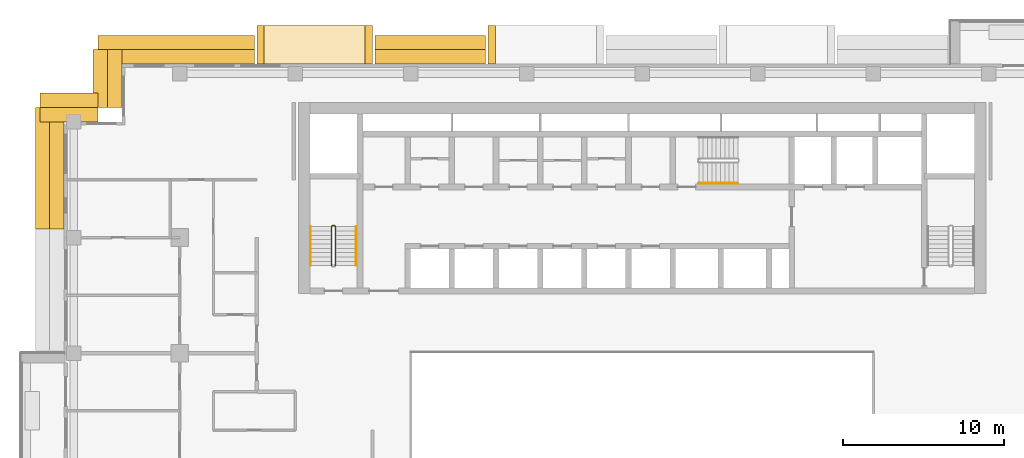
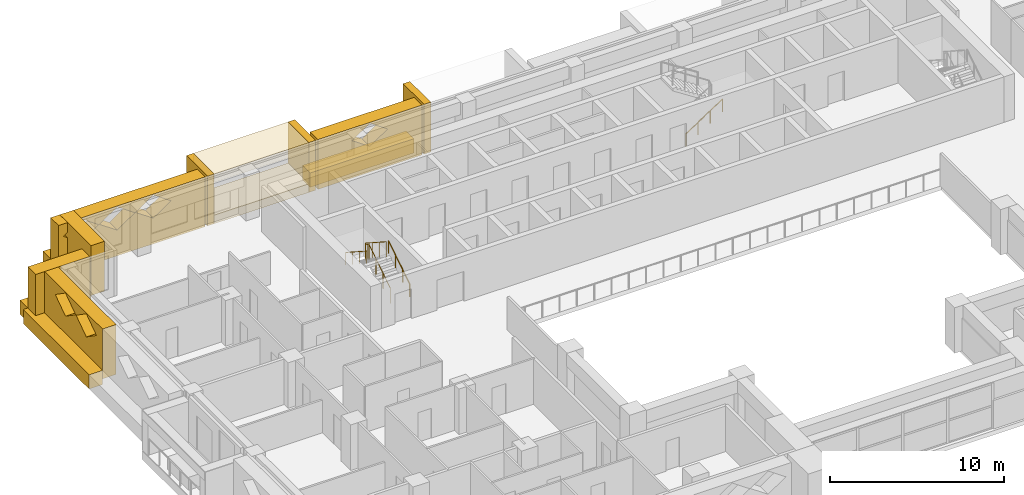
# One storey, part 17 of 19: 15 coverings, 4 railings.
"""IFC4 building model written with IfcOpenShell, lengths in metres."""

import ifcopenshell
import ifcopenshell.guid

model = None  # the IFC model being written
_history = None  # IfcOwnerHistory: only IFC2X3 demands one
_inside = {}  # id of a spatial element -> (the spatial element, [elements in it])
_under = {}  # id of a project, library or spatial element -> (it, [spatial elements below it])
_declared = {}  # id of a project -> (the project, [libraries it declares])
_typed = {}  # id of a type object -> (the type object, [elements of that type])
_made_of = {}  # id of a material, layer set ... -> (it, [elements and type objects made of it])


def new_model(schema):
    """Start an empty IFC model of exactly this schema.

    Asked for "IFC4X3", IfcOpenShell would pick the latest addendum, in which some entities
    have other attributes; the version numbers below select the first issue.
    IFC2X3 requires an IfcOwnerHistory on every rooted entity: one is made here for all.
    """
    global model, _history
    if schema == "IFC4X3":
        model = ifcopenshell.file(schema_version=(4, 3, 0, 0))
    else:
        model = ifcopenshell.file(schema=schema)
    _inside.clear()
    _under.clear()
    _declared.clear()
    _typed.clear()
    _made_of.clear()
    _history = None
    if model.schema == "IFC2X3":
        org = make("IfcOrganization", Name="unknown")
        user = make(
            "IfcPersonAndOrganization",
            ThePerson=make("IfcPerson", FamilyName="unknown"),
            TheOrganization=org,
        )
        app = make(
            "IfcApplication",
            ApplicationDeveloper=org,
            Version="unknown",
            ApplicationFullName="unknown",
            ApplicationIdentifier="unknown",
        )
        _history = make(
            "IfcOwnerHistory",
            OwningUser=user,
            OwningApplication=app,
            ChangeAction="ADDED",
            CreationDate=0,
        )
    return model


def make(cls, **values):
    """One entity of the class cls with the attributes given. An attribute that is None is left unset."""
    return model.create_entity(
        cls, **{name: value for name, value in values.items() if value is not None}
    )


def rooted(cls, **values):
    """An entity with a GlobalId (a new one), such as an element, a storey or a relation."""
    return make(cls, GlobalId=ifcopenshell.guid.new(), OwnerHistory=_history, **values)


def si_unit(unit_type, name, prefix=None):
    """IfcSIUnit, for example si_unit("LENGTHUNIT", "METRE", prefix="MILLI")."""
    return make("IfcSIUnit", UnitType=unit_type, Prefix=prefix, Name=name)


def assignment(units):
    """IfcUnitAssignment: the units of a project."""
    return None if units is None else make("IfcUnitAssignment", Units=units)


def point(xyz):
    """IfcCartesianPoint."""
    return None if xyz is None else make("IfcCartesianPoint", Coordinates=xyz)


def direction(xyz):
    """IfcDirection."""
    return None if xyz is None else make("IfcDirection", DirectionRatios=xyz)


def frame(location, z_axis=None, x_axis=None):
    """IfcAxis2Placement3D, a coordinate frame: its origin and axes. An axis left out is left unset."""
    return make(
        "IfcAxis2Placement3D",
        Location=point(location),
        Axis=direction(z_axis),
        RefDirection=direction(x_axis),
    )


def frame_2d(location, x_axis=None):
    """IfcAxis2Placement2D, a coordinate frame in the plane: its origin and x axis."""
    return make(
        "IfcAxis2Placement2D", Location=point(location), RefDirection=direction(x_axis)
    )


def origin():
    """The frame at (0, 0, 0) with its axes left unset."""
    return frame((0.0, 0.0, 0.0))


def origin_2d():
    """The frame at (0, 0) in the plane with its x axis left unset."""
    return frame_2d((0.0, 0.0))


def place(relative_to, where):
    """IfcLocalPlacement: puts the frame where relative to a parent placement (None: the world)."""
    return make(
        "IfcLocalPlacement", PlacementRelTo=relative_to, RelativePlacement=where
    )


def context(
    kind, dimensions, precision=None, world=None, true_north=None, identifier=None
):
    """IfcGeometricRepresentationContext, for example the 3D "Model" context."""
    return make(
        "IfcGeometricRepresentationContext",
        ContextIdentifier=identifier,
        ContextType=kind,
        CoordinateSpaceDimension=dimensions,
        Precision=precision,
        WorldCoordinateSystem=world,
        TrueNorth=true_north,
    )


def subcontext(parent, identifier, kind, view, scale=None):
    """IfcGeometricRepresentationSubContext, for example "Body" below "Model"."""
    return make(
        "IfcGeometricRepresentationSubContext",
        ContextIdentifier=identifier,
        ContextType=kind,
        ParentContext=parent,
        TargetScale=scale,
        TargetView=view,
    )


def project(units=None, contexts=None):
    """IfcProject with its units and contexts."""
    return rooted(
        "IfcProject",
        Name="project",
        RepresentationContexts=contexts,
        UnitsInContext=assignment(units),
    )


def spatial(cls, under=None, at=None, **own):
    """A site, building, storey or space (cls), placed at a placement, below another one or the project."""
    s = rooted(cls, ObjectPlacement=at, **own)
    if under is not None:
        _under.setdefault(under.id(), (under, []))[1].append(s)
    return s


def polyline(points):
    """IfcPolyline through the points."""
    return make("IfcPolyline", Points=[point(p) for p in points])


def profile(cls, at=None, kind="AREA", **sizes):
    """A parametric profile (cls). Its sizes go by their IFC names, for example OverallWidth=200.0."""
    return make(cls, ProfileType=kind, Position=at, **sizes)


def circle(**sizes):
    """IfcCircleProfileDef."""
    return profile("IfcCircleProfileDef", **sizes)


def outline(outer, holes=None, kind="AREA"):
    """IfcArbitraryClosedProfileDef: a profile drawn as a closed curve; with holes, ...WithVoids."""
    if holes is None:
        return make("IfcArbitraryClosedProfileDef", ProfileType=kind, OuterCurve=outer)
    return make(
        "IfcArbitraryProfileDefWithVoids",
        ProfileType=kind,
        OuterCurve=outer,
        InnerCurves=holes,
    )


def extrude(swept, where, along, depth):
    """IfcExtrudedAreaSolid: the profile swept, set in the frame where, extruded along a direction by depth."""
    return make(
        "IfcExtrudedAreaSolid",
        SweptArea=swept,
        Position=where,
        ExtrudedDirection=direction(along),
        Depth=depth,
    )


def shape(context_of_items, identifier, shape_type, items):
    """IfcShapeRepresentation: the items that make up one representation, for example the "Body"."""
    return make(
        "IfcShapeRepresentation",
        ContextOfItems=context_of_items,
        RepresentationIdentifier=identifier,
        RepresentationType=shape_type,
        Items=items,
    )


def material(Name=None, Category=None):
    """IfcMaterial."""
    return make("IfcMaterial", Name=Name, Category=Category)


def layer(
    of_material, thickness, ventilated=None, Name=None, Category=None, Priority=None
):
    """IfcMaterialLayer: one layer of a wall or slab, of a material (None: an air gap)."""
    return make(
        "IfcMaterialLayer",
        Material=of_material,
        LayerThickness=thickness,
        IsVentilated=ventilated,
        Name=Name,
        Category=Category,
        Priority=Priority,
    )


def layer_set(layers, Name=None):
    """IfcMaterialLayerSet."""
    return make("IfcMaterialLayerSet", MaterialLayers=layers, LayerSetName=Name)


def made_of(thing, what):
    """Note that an element or type object is made of a material, layer set ...; save() writes the relation."""
    if what is not None:
        _made_of.setdefault(what.id(), (what, []))[1].append(thing)
    return thing


def type_object(cls, material=None, **own):
    """A type object (cls), such as IfcWallType, which elements share."""
    return made_of(rooted(cls, **own), material)


def element(
    cls,
    number,
    at=None,
    inside=None,
    cuts=None,
    type_object=None,
    material=None,
    context=None,
    identifier="Body",
    shape_type=None,
    held_by="IfcProductDefinitionShape",
    body=None,
    shapes=None,
    **own,
):
    """One element of the class cls, such as IfcWall. Its Tag is "e" and its number.

    at: its placement. inside: the storey or other place that contains it. cuts: it is an
    opening in that element (IfcRelVoidsElement). A single representation is given by context,
    identifier, shape_type and body (its items); several are given by shapes. held_by: the class
    of the entity that holds the representations. save() writes the other relations.
    """
    e = rooted(cls, Tag="e%d" % number, ObjectPlacement=at, **own)
    if body is not None:
        shapes = [shape(context, identifier, shape_type, body)]
    if shapes is not None:
        e.Representation = make(held_by, Representations=shapes)
    if inside is not None:
        _inside.setdefault(inside.id(), (inside, []))[1].append(e)
    if cuts is not None:
        rooted(
            "IfcRelVoidsElement", RelatingBuildingElement=cuts, RelatedOpeningElement=e
        )
    if type_object is not None:
        _typed.setdefault(type_object.id(), (type_object, []))[1].append(e)
    return made_of(e, material)


def aggregate(whole, parts):
    """IfcRelAggregates: a whole, such as a stair, and the parts it consists of."""
    return rooted("IfcRelAggregates", RelatingObject=whole, RelatedObjects=parts)


def save(model, path):
    """Write the relations noted so far, then the file.

    IfcRelAggregates (storeys below a building ...), IfcRelContainedInSpatialStructure (elements
    in a storey), IfcRelDefinesByType, IfcRelAssociatesMaterial and IfcRelDeclares: one each for
    every whole, place, type object, material and project.
    """
    for whole, parts in _under.values():
        aggregate(whole, parts)
    for where, things in _inside.values():
        rooted(
            "IfcRelContainedInSpatialStructure",
            RelatedElements=things,
            RelatingStructure=where,
        )
    for kind, things in _typed.values():
        rooted("IfcRelDefinesByType", RelatedObjects=things, RelatingType=kind)
    for what, things in _made_of.values():
        rooted("IfcRelAssociatesMaterial", RelatedObjects=things, RelatingMaterial=what)
    for by, libraries in _declared.values():
        rooted("IfcRelDeclares", RelatingContext=by, RelatedDefinitions=libraries)
    model.write(path)


model = new_model("IFC4")

# Units and contexts
model_context = context("Model", 3, precision=1e-05, world=origin(), true_north=direction((0.0, 1.0)))
body_context = subcontext(model_context, "Body", "Model", "MODEL_VIEW")
ifc_project = project(units=[si_unit("LENGTHUNIT", "METRE"), si_unit("AREAUNIT", "SQUARE_METRE"), si_unit("VOLUMEUNIT", "CUBIC_METRE"), si_unit("PLANEANGLEUNIT", "RADIAN"), si_unit("MASSUNIT", "GRAM", prefix="KILO")], contexts=[model_context])

# Site, building, storey
site_placement = place(None, origin())
site = spatial("IfcSite", under=ifc_project, at=site_placement, CompositionType="ELEMENT")
building_placement = place(site_placement, origin())
building = spatial("IfcBuilding", under=site, at=building_placement, Name="Saffron Iwan Residences", CompositionType="ELEMENT")
storey_placement = place(building_placement, frame((0.0, 0.0, 120.0)))
storey = spatial("IfcBuildingStorey", under=building, at=storey_placement, Name="L31", CompositionType="ELEMENT", Elevation=120.0)

# Coverings
ifc_material_1 = material(Name="Precast concrete C40/50", Category="concrete")
covering_type_1 = type_object("IfcCoveringType", Name="OUTER SKIN LATTICE SCREEN", PredefinedType="CLADDING", material=ifc_material_1)
covering_1_placement = place(storey_placement, frame((40.64990234375, 80.39990234375, -0.300048828125), z_axis=(0.0, 1.0, 0.0), x_axis=(-1.0, 0.0, 0.0)))
element("IfcCovering", 1, at=covering_1_placement, inside=storey, type_object=covering_type_1, Name="OUTER SKIN lattice screen L31 F5.3", PredefinedType="CLADDING", context=body_context, shape_type="SweptSolid", body=[
    extrude(outline(polyline([(0.0, 0.0), (6.89990234375, 0.0), (6.89990234375, 3.5), (0.0, 3.5), (0.0, 0.0)]), holes=[polyline([(2.27001953125, 2.625), (3.449951171875, 1.81005859375), (4.6298828125, 2.625), (3.449951171875, 3.43994140625), (2.27001953125, 2.625)])]), origin(), (0.0, 0.0, 1.0), 0.900146484375),
])
covering_2_placement = place(storey_placement, frame((26.25, 80.39990234375, -0.300048828125), z_axis=(0.0, 1.0, 0.0), x_axis=(-1.0, 0.0, 0.0)))
element("IfcCovering", 2, at=covering_2_placement, inside=storey, type_object=covering_type_1, Name="OUTER SKIN lattice screen L31 F5.4", PredefinedType="CLADDING", context=body_context, shape_type="SweptSolid", body=[
    extrude(outline(polyline([(0.0, 0.0), (9.75, 0.0), (9.75, 3.5), (0.0, 3.5), (0.0, 0.0)]), holes=[polyline([(2.27001953125, 2.625), (3.449951171875, 1.81005859375), (4.6298828125, 2.625), (3.449951171875, 3.43994140625), (2.27001953125, 2.625)]), polyline([(4.669921875, 2.625), (5.85009765625, 1.81005859375), (7.030029296875, 2.625), (5.85009765625, 3.43994140625), (4.669921875, 2.625)]), polyline([(7.070068359375, 2.625), (8.25, 1.81005859375), (9.429931640625, 2.625), (8.25, 3.43994140625), (7.070068359375, 2.625)])]), origin(), (0.0, 0.0, 1.0), 0.900146484375),
])
for number, where, z_axis, x_axis, name in (
    (3, (18.0, 81.300048828125, -0.300048828125), (-1.0, 0.0, 0.0), (0.0, -1.0, 0.0), "OUTER SKIN lattice screen L31 F6.0"),
    (4, (16.5, 76.800048828125, -0.300048828125), (0.0, 1.0, 0.0), (-1.0, 0.0, 0.0), "OUTER SKIN lattice screen L31 F7.0"),
):
    element("IfcCovering", number, at=place(storey_placement, frame(where, z_axis=z_axis, x_axis=x_axis)), inside=storey, type_object=covering_type_1, Name=name, PredefinedType="CLADDING", context=body_context, shape_type="SweptSolid", body=[
        extrude(outline(polyline([(0.0, 0.0), (3.60009765625, 0.0), (3.60009765625, 3.5), (0.0, 3.5), (0.0, 0.0)])), origin(), (0.0, 0.0, 1.0), 0.89990234375),
    ])
covering_3_placement = place(storey_placement, frame((14.39990234375, 77.699951171875, -0.300048828125), z_axis=(-1.0, 0.0, 0.0), x_axis=(0.0, -1.0, 0.0)))
element("IfcCovering", 5, at=covering_3_placement, inside=storey, type_object=covering_type_1, Name="OUTER SKIN lattice screen L31 F8.0", PredefinedType="CLADDING", context=body_context, shape_type="SweptSolid", body=[
    extrude(outline(polyline([(0.0, 0.0), (7.574951171875, 0.0), (7.574951171875, 3.5), (0.0, 3.5), (0.0, 0.0)]), holes=[polyline([(2.1201171875, 2.625), (3.300048828125, 1.81005859375), (4.47998046875, 2.625), (3.300048828125, 3.43994140625), (2.1201171875, 2.625)]), polyline([(4.52001953125, 2.625), (5.699951171875, 1.81005859375), (6.8798828125, 2.625), (5.699951171875, 3.43994140625), (4.52001953125, 2.625)])]), origin(), (0.0, 0.0, 1.0), 0.89990234375),
])

# Railings
ifc_material_2 = material(Name="Steel S355", Category="steel")
railing_type_1 = type_object("IfcRailingType", Name="Stair guard 1100", PredefinedType="GUARDRAIL", material=ifc_material_2)
railing_1_placement = place(storey_placement, frame((31.300048828125, 67.85009765625, 0.175048828125)))
element("IfcRailing", 6, at=railing_1_placement, inside=storey, type_object=railing_type_1, Name="L31 ST-W stair guard 1", PredefinedType="GUARDRAIL", context=body_context, shape_type="SweptSolid", body=[
    extrude(circle(Radius=0.02392578125, at=origin_2d()), frame((0.0, 0.0, 1.076171875), z_axis=(0.0, 0.839153699163, 0.543894354798), x_axis=(-1.0, 0.0, 0.0)), (0.0, 0.0, 1.0), 2.895751953125),
    extrude(circle(Radius=0.02392578125, at=origin_2d()), frame((0.0, 2.429931640625, 2.65087890625), z_axis=(-0.707106781187, 0.707106781187, 0.0), x_axis=(-0.707106781187, -0.707106781187, 0.0)), (0.0, 0.0, 1.0), 0.07080078125),
    extrude(circle(Radius=0.02392578125, at=origin_2d()), frame((-0.050048828125, 2.47998046875, 2.65087890625), z_axis=(-1.0, 0.0, 0.0), x_axis=(0.0, -1.0, 0.0)), (0.0, 0.0, 1.0), 0.14990234375),
    extrude(circle(Radius=0.02392578125, at=origin_2d()), frame((-0.199951171875, 2.47998046875, 2.65087890625), z_axis=(-0.265065253269, -0.265065253269, 0.927081885822), x_axis=(0.707106781187, -0.707106781187, 0.0)), (0.0, 0.0, 1.0), 0.188720703125),
    extrude(circle(Radius=0.02392578125, at=origin_2d()), frame((-0.25, 2.429931640625, 2.826171875), z_axis=(0.0, -0.839153699163, 0.543894354798), x_axis=(1.0, 0.0, 0.0)), (0.0, 0.0, 1.0), 2.895751953125),
    extrude(circle(Radius=0.02099609375, at=origin_2d()), origin(), (0.0, 0.0, 1.0), 1.052001953125),
    extrude(circle(Radius=0.02099609375, at=origin_2d()), frame((0.0, 0.81005859375, 0.52490234375)), (0.0, 0.0, 1.0), 1.052001953125),
    extrude(circle(Radius=0.02099609375, at=origin_2d()), frame((0.0, 1.619873046875, 1.050048828125)), (0.0, 0.0, 1.0), 1.052001953125),
    extrude(circle(Radius=0.02099609375, at=origin_2d()), frame((0.0, 2.429931640625, 1.574951171875)), (0.0, 0.0, 1.0), 1.052001953125),
    extrude(circle(Radius=0.02099609375, at=origin_2d()), frame((-0.050048828125, 2.47998046875, 1.574951171875)), (0.0, 0.0, 1.0), 1.052001953125),
    extrude(circle(Radius=0.02099609375, at=origin_2d()), frame((-0.199951171875, 2.47998046875, 1.574951171875)), (0.0, 0.0, 1.0), 1.052001953125),
    extrude(circle(Radius=0.02099609375, at=origin_2d()), frame((-0.25, 2.429931640625, 1.75)), (0.0, 0.0, 1.0), 1.052001953125),
    extrude(circle(Radius=0.02099609375, at=origin_2d()), frame((-0.25, 1.619873046875, 2.27490234375)), (0.0, 0.0, 1.0), 1.052001953125),
    extrude(circle(Radius=0.02099609375, at=origin_2d()), frame((-0.25, 0.81005859375, 2.800048828125)), (0.0, 0.0, 1.0), 1.052001953125),
    extrude(circle(Radius=0.02099609375, at=origin_2d()), frame((-0.25, 0.0, 3.324951171875)), (0.0, 0.0, 1.0), 1.052001953125),
])
ifc_material_3 = material(Name="Stainless steel 316", Category="steel")
railing_type_2 = type_object("IfcRailingType", Name="Stair handrail 900", PredefinedType="HANDRAIL", material=ifc_material_3)
railing_2_placement = place(storey_placement, frame((32.60009765625, 67.85009765625, 0.175048828125)))
element("IfcRailing", 7, at=railing_2_placement, inside=storey, type_object=railing_type_2, Name="L31 ST-W stair handrail 1", PredefinedType="HANDRAIL", context=body_context, shape_type="SweptSolid", body=[
    extrude(circle(Radius=0.02392578125, at=origin_2d()), frame((0.0, 0.0, 0.8759765625), z_axis=(0.0, 0.839153699163, 0.543894354798), x_axis=(-1.0, 0.0, 0.0)), (0.0, 0.0, 1.0), 2.895751953125),
    extrude(circle(Radius=0.02099609375, at=origin_2d()), origin(), (0.0, 0.0, 1.0), 0.851806640625),
    extrude(circle(Radius=0.02099609375, at=origin_2d()), frame((0.0, 0.81005859375, 0.52490234375)), (0.0, 0.0, 1.0), 0.851806640625),
    extrude(circle(Radius=0.02099609375, at=origin_2d()), frame((0.0, 1.619873046875, 1.050048828125)), (0.0, 0.0, 1.0), 0.851806640625),
    extrude(circle(Radius=0.02099609375, at=origin_2d()), frame((0.0, 2.429931640625, 1.574951171875)), (0.0, 0.0, 1.0), 0.851806640625),
])
railing_3_placement = place(storey_placement, frame((29.75, 70.280029296875, 1.925048828125)))
element("IfcRailing", 8, at=railing_3_placement, inside=storey, type_object=railing_type_2, Name="L31 ST-W stair handrail 2", PredefinedType="HANDRAIL", context=body_context, shape_type="SweptSolid", body=[
    extrude(circle(Radius=0.02392578125, at=origin_2d()), frame((0.0, 0.0, 0.8759765625), z_axis=(0.0, -0.839153699163, 0.543894354798), x_axis=(1.0, 0.0, 0.0)), (0.0, 0.0, 1.0), 2.895751953125),
    extrude(circle(Radius=0.02099609375, at=origin_2d()), origin(), (0.0, 0.0, 1.0), 0.851806640625),
    extrude(circle(Radius=0.02099609375, at=origin_2d()), frame((0.0, -0.81005859375, 0.52490234375)), (0.0, 0.0, 1.0), 0.851806640625),
    extrude(circle(Radius=0.02099609375, at=origin_2d()), frame((0.0, -1.619873046875, 1.050048828125)), (0.0, 0.0, 1.0), 0.851806640625),
    extrude(circle(Radius=0.02099609375, at=origin_2d()), frame((0.0, -2.429931640625, 1.574951171875)), (0.0, 0.0, 1.0), 0.851806640625),
])
railing_4_placement = place(storey_placement, frame((53.925048828125, 72.97509765625, 0.175048828125)))
element("IfcRailing", 9, at=railing_4_placement, inside=storey, type_object=railing_type_2, Name="L31 ST-C stair handrail 1", PredefinedType="HANDRAIL", context=body_context, shape_type="SweptSolid", body=[
    extrude(circle(Radius=0.02392578125, at=origin_2d()), frame((0.0, 0.0, 0.8759765625), z_axis=(0.839153699163, 0.0, 0.543894354798), x_axis=(0.0, 1.0, 0.0)), (0.0, 0.0, 1.0), 2.895751953125),
    extrude(circle(Radius=0.02099609375, at=origin_2d()), origin(), (0.0, 0.0, 1.0), 0.851806640625),
    extrude(circle(Radius=0.02099609375, at=origin_2d()), frame((0.81005859375, 0.0, 0.52490234375)), (0.0, 0.0, 1.0), 0.851806640625),
    extrude(circle(Radius=0.02099609375, at=origin_2d()), frame((1.619873046875, 0.0, 1.050048828125)), (0.0, 0.0, 1.0), 0.851806640625),
    extrude(circle(Radius=0.02099609375, at=origin_2d()), frame((2.429931640625, 0.0, 1.574951171875)), (0.0, 0.0, 1.0), 0.851806640625),
])

# Coverings
ifc_material_4 = material(Name="Precast concrete C40/50 white painted", Category="concrete")
ifc_layer = layer(ifc_material_4, 0.89990234375)
ifc_layer_set = layer_set([ifc_layer], Name="Precast concrete C40/50 white painted")
covering_type_2 = type_object("IfcCoveringType", Name="WHITE EDGE BAND 900 x 1000", PredefinedType="CLADDING", material=ifc_layer_set)
covering_4_placement = place(storey_placement, frame((0.0, 0.0, -0.699951171875)))
element("IfcCovering", 10, at=covering_4_placement, inside=storey, type_object=covering_type_2, Name="White edge band L31 F5.3", PredefinedType="CLADDING", context=body_context, shape_type="SweptSolid", body=[
    extrude(outline(polyline([(40.64990234375, 82.199951171875), (33.75, 82.199951171875), (33.75, 81.300048828125), (40.64990234375, 81.300048828125), (40.64990234375, 82.199951171875)])), origin(), (0.0, 0.0, 1.0), 1.0),
])
covering_5_placement = place(storey_placement, frame((0.0, 0.0, -0.699951171875)))
element("IfcCovering", 11, at=covering_5_placement, inside=storey, type_object=covering_type_2, Name="White edge band L31 F5.4", PredefinedType="CLADDING", context=body_context, shape_type="SweptSolid", body=[
    extrude(outline(polyline([(26.25, 82.199951171875), (16.5, 82.199951171875), (16.5, 81.300048828125), (26.25, 81.300048828125), (26.25, 82.199951171875)])), origin(), (0.0, 0.0, 1.0), 1.0),
])
covering_6_placement = place(storey_placement, frame((0.0, 0.0, -0.699951171875)))
element("IfcCovering", 12, at=covering_6_placement, inside=storey, type_object=covering_type_2, Name="White edge band L31 F6.0", PredefinedType="CLADDING", context=body_context, shape_type="SweptSolid", body=[
    extrude(outline(polyline([(16.199951171875, 81.300048828125), (16.199951171875, 77.699951171875), (17.10009765625, 77.699951171875), (17.10009765625, 81.300048828125), (16.199951171875, 81.300048828125)])), origin(), (0.0, 0.0, 1.0), 1.0),
])
covering_7_placement = place(storey_placement, frame((0.0, 0.0, -0.699951171875)))
element("IfcCovering", 13, at=covering_7_placement, inside=storey, type_object=covering_type_2, Name="White edge band L31 F7.0", PredefinedType="CLADDING", context=body_context, shape_type="SweptSolid", body=[
    extrude(outline(polyline([(16.5, 78.60009765625), (12.89990234375, 78.60009765625), (12.89990234375, 77.699951171875), (16.5, 77.699951171875), (16.5, 78.60009765625)])), origin(), (0.0, 0.0, 1.0), 1.0),
])
covering_8_placement = place(storey_placement, frame((0.0, 0.0, -0.699951171875)))
element("IfcCovering", 14, at=covering_8_placement, inside=storey, type_object=covering_type_2, Name="White edge band L31 F8.0", PredefinedType="CLADDING", context=body_context, shape_type="SweptSolid", body=[
    extrude(outline(polyline([(12.60009765625, 77.699951171875), (12.60009765625, 70.125), (13.5, 70.125), (13.5, 77.699951171875), (12.60009765625, 77.699951171875)])), origin(), (0.0, 0.0, 1.0), 1.0),
])
covering_type_3 = type_object("IfcCoveringType", Name="WHITE SUN FRAME PRECAST", PredefinedType="CLADDING", material=ifc_material_4)
for number, where, z_axis, x_axis, name in (
    (15, (41.25, 80.39990234375, -0.300048828125), (0.0, 1.0, 0.0), (-1.0, 0.0, 0.0), "Sun frame L31 F5 34.8b"),
    (16, (33.60009765625, 80.39990234375, -0.300048828125), (0.0, 1.0, 0.0), (-1.0, 0.0, 0.0), "Sun frame L31 F5 49.2a"),
    (17, (26.85009765625, 80.39990234375, -0.300048828125), (0.0, 1.0, 0.0), (-1.0, 0.0, 0.0), "Sun frame L31 F5 49.2b"),
):
    element("IfcCovering", number, at=place(storey_placement, frame(where, z_axis=z_axis, x_axis=x_axis)), inside=storey, type_object=covering_type_3, Name=name, PredefinedType="CLADDING", context=body_context, shape_type="SweptSolid", body=[
        extrude(outline(polyline([(0.0, 0.0), (0.449951171875, 0.0), (0.449951171875, 3.5), (0.0, 3.5), (0.0, 0.0)])), origin(), (0.0, 0.0, 1.0), 2.400146484375),
    ])
for number, where, z_axis, x_axis, name in (
    (18, (33.14990234375, 80.39990234375, 2.60009765625), (0.0, 1.0, 0.0), (-1.0, 0.0, 0.0), "Sun frame L31 F5 49.2h"),
    (19, (33.14990234375, 80.39990234375, -0.300048828125), (0.0, 1.0, 0.0), (-1.0, 0.0, 0.0), "Sun frame L31 F5 49.2s"),
):
    element("IfcCovering", number, at=place(storey_placement, frame(where, z_axis=z_axis, x_axis=x_axis)), inside=storey, type_object=covering_type_3, Name=name, PredefinedType="CLADDING", context=body_context, shape_type="SweptSolid", body=[
        extrude(outline(polyline([(0.0, 0.0), (6.300048828125, 0.0), (6.300048828125, 0.60009765625), (0.0, 0.60009765625), (0.0, 0.0)])), origin(), (0.0, 0.0, 1.0), 2.400146484375),
    ])

save(model, "model.ifc")
